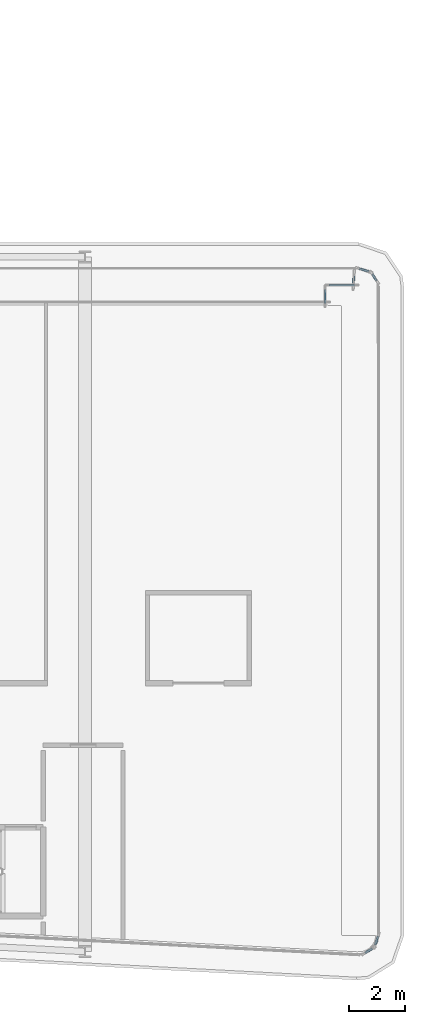
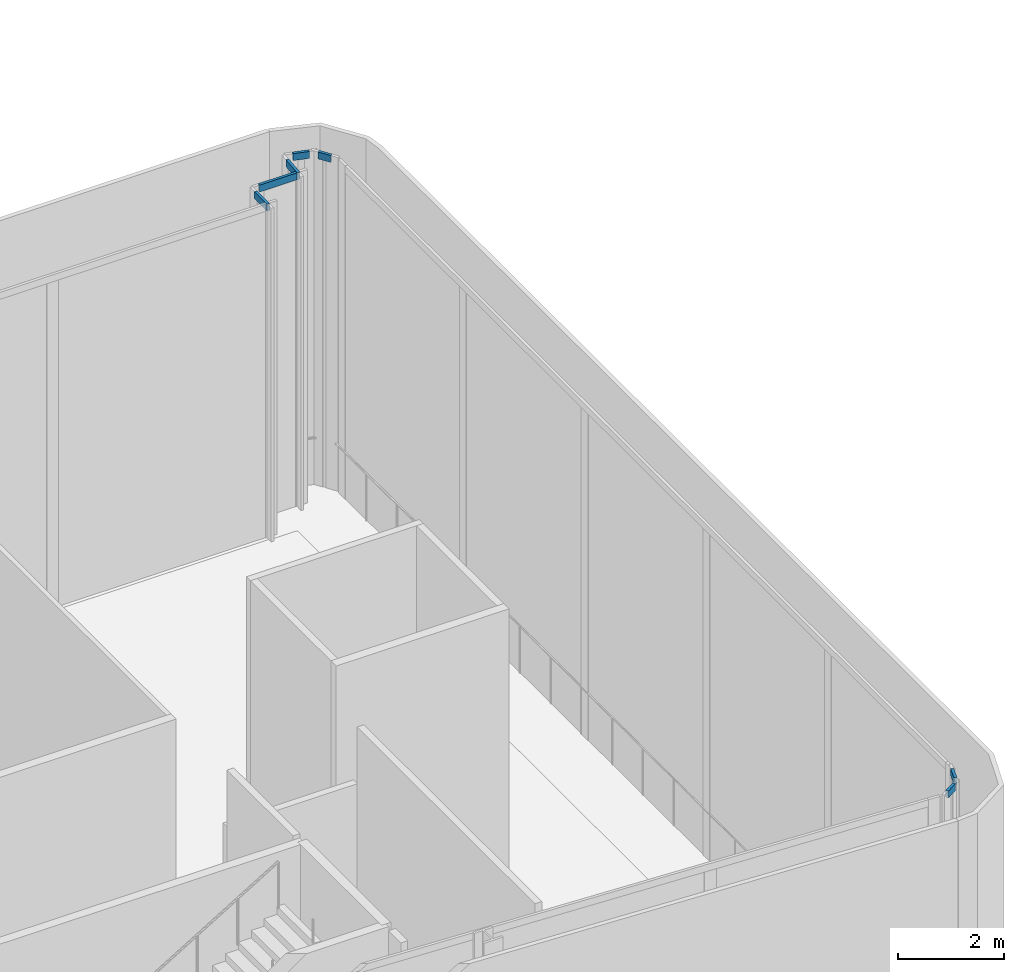
# One storey, part 20 of 37: 7 members, 7 elements without a shape of their own.
"""IFC4 building model written with IfcOpenShell, lengths in metres."""

from ifc_helpers import new_model, si_unit, direction, frame, origin, origin_2d, place, context, subcontext, project, spatial, rectangle, extrude, material, layer, layer_set, material_profile, profile_set, type_object, element, aggregate, save


model = new_model("IFC4")

# Units and contexts
model_context = context("Model", 3, precision=1e-05, world=origin(), true_north=direction((0.0, 1.0)))
body_context = subcontext(model_context, "Body", "Model", "MODEL_VIEW")
ifc_project = project(units=[si_unit("LENGTHUNIT", "METRE"), si_unit("AREAUNIT", "SQUARE_METRE"), si_unit("VOLUMEUNIT", "CUBIC_METRE"), si_unit("PLANEANGLEUNIT", "RADIAN"), si_unit("MASSUNIT", "GRAM", prefix="KILO")], contexts=[model_context])

# Site, building, storey
site_placement = place(None, origin())
site = spatial("IfcSite", under=ifc_project, at=site_placement, CompositionType="ELEMENT")
building_placement = place(site_placement, origin())
building = spatial("IfcBuilding", under=site, at=building_placement, Name="Kheshtan School and Residences Tower", CompositionType="ELEMENT")
storey_placement = place(building_placement, frame((0.0, 0.0, 144.800048828125)))
storey = spatial("IfcBuildingStorey", under=building, at=storey_placement, Name="L34", CompositionType="ELEMENT", Elevation=144.800048828125)

# Curtain wall, member
ifc_material_1 = material(Name="Clear low-e glass in thermally broken aluminium frame", Category="aluminium")
ifc_layer = layer(ifc_material_1, 0.25)
ifc_layer_set = layer_set([ifc_layer], Name="Curtain wall CW-K")
curtain_wall_type = type_object("IfcCurtainWallType", Name="Curtain wall CW-K", PredefinedType="NOTDEFINED", material=ifc_layer_set)
curtain_wall_1_placement = place(storey_placement, origin())
curtain_wall_1 = element("IfcCurtainWall", 1, at=curtain_wall_1_placement, inside=storey, type_object=curtain_wall_type, Name="Curtain wall CWK6", PredefinedType="NOTDEFINED")
ifc_material_2 = material(Name="Thermally broken aluminium, dark bronze anodised", Category="aluminium")
ifc_material_profile = material_profile(ifc_material_2, rectangle(XDim=0.06005859375, YDim=0.159912109375, at=origin_2d()), Name="CW-K transom 60x160")
ifc_profile_set = profile_set([ifc_material_profile], Name="Thermally broken aluminium, dark bronze anodised")
member_type = type_object("IfcMemberType", Name="CW-K transom 60x160", PredefinedType="USERDEFINED", material=ifc_profile_set)
member_1_placement = place(storey_placement, frame((99.300048828125, 43.9599609375, 7.570068359375), z_axis=(0.0, 1.0, 0.0), x_axis=(-1.0, 0.0, 0.0)))
member_1 = element("IfcMember", 2, at=member_1_placement, type_object=member_type, Name="CWK6 transom 1", ObjectType="TRANSOM", PredefinedType="USERDEFINED", context=body_context, shape_type="SweptSolid", body=[
    extrude(rectangle(XDim=0.06005859375, YDim=0.159912109375, at=origin_2d()), origin(), (0.0, 0.0, 1.0), 0.47998046875),
])
aggregate(curtain_wall_1, [member_1])

curtain_wall_2_placement = place(storey_placement, origin())
curtain_wall_2 = element("IfcCurtainWall", 3, at=curtain_wall_2_placement, inside=storey, type_object=curtain_wall_type, Name="Curtain wall CWK7", PredefinedType="NOTDEFINED")
member_2_placement = place(storey_placement, frame((99.4599609375, 44.60009765625, 7.570068359375), z_axis=(1.0, 0.0, 0.0), x_axis=(0.0, 1.0, 0.0)))
member_2 = element("IfcMember", 4, at=member_2_placement, type_object=member_type, Name="CWK7 transom 1", ObjectType="TRANSOM", PredefinedType="USERDEFINED", context=body_context, shape_type="SweptSolid", body=[
    extrude(rectangle(XDim=0.06005859375, YDim=0.159912109375, at=origin_2d()), origin(), (0.0, 0.0, 1.0), 0.881103515625),
])
aggregate(curtain_wall_2, [member_2])

curtain_wall_3_placement = place(storey_placement, origin())
curtain_wall_3 = element("IfcCurtainWall", 5, at=curtain_wall_3_placement, inside=storey, type_object=curtain_wall_type, Name="Curtain wall CWK8", PredefinedType="NOTDEFINED")
member_3_placement = place(storey_placement, frame((100.30517578125, 44.56640625, 7.570068359375), z_axis=(0.064936372155, 0.997889406483, 0.0), x_axis=(-0.997889406483, 0.064936372155, 0.0)))
member_3 = element("IfcMember", 6, at=member_3_placement, type_object=member_type, Name="CWK8 transom 1", ObjectType="TRANSOM", PredefinedType="USERDEFINED", context=body_context, shape_type="SweptSolid", body=[
    extrude(rectangle(XDim=0.06005859375, YDim=0.159912109375, at=origin_2d()), origin(), (0.0, 0.0, 1.0), 0.481201171875),
])
aggregate(curtain_wall_3, [member_3])

curtain_wall_4_placement = place(storey_placement, origin())
curtain_wall_4 = element("IfcCurtainWall", 7, at=curtain_wall_4_placement, inside=storey, type_object=curtain_wall_type, Name="Curtain wall CWK9", PredefinedType="NOTDEFINED")
member_4_placement = place(storey_placement, frame((100.52587890625, 45.1787109375, 7.570068359375), z_axis=(0.958859024392, -0.283882671789, 0.0), x_axis=(0.283882671789, 0.958859024392, 0.0)))
member_4 = element("IfcMember", 8, at=member_4_placement, type_object=member_type, Name="CWK9 transom 1", ObjectType="TRANSOM", PredefinedType="USERDEFINED", context=body_context, shape_type="SweptSolid", body=[
    extrude(rectangle(XDim=0.06005859375, YDim=0.159912109375, at=origin_2d()), origin(), (0.0, 0.0, 1.0), 0.3232421875),
])
aggregate(curtain_wall_4, [member_4])

curtain_wall_5_placement = place(storey_placement, origin())
curtain_wall_5 = element("IfcCurtainWall", 9, at=curtain_wall_5_placement, inside=storey, type_object=curtain_wall_type, Name="Curtain wall CWK10", PredefinedType="NOTDEFINED")
member_5_placement = place(storey_placement, frame((100.9814453125, 44.979736328125, 7.570068359375), z_axis=(0.555554602959, -0.831480055762, 0.0), x_axis=(0.831480055762, 0.555554602959, 0.0)))
member_5 = element("IfcMember", 10, at=member_5_placement, type_object=member_type, Name="CWK10 transom 1", ObjectType="TRANSOM", PredefinedType="USERDEFINED", context=body_context, shape_type="SweptSolid", body=[
    extrude(rectangle(XDim=0.06005859375, YDim=0.159912109375, at=origin_2d()), origin(), (0.0, 0.0, 1.0), 0.263671875),
])
aggregate(curtain_wall_5, [member_5])

curtain_wall_6_placement = place(storey_placement, origin())
curtain_wall_6 = element("IfcCurtainWall", 11, at=curtain_wall_6_placement, inside=storey, type_object=curtain_wall_type, Name="Curtain wall CWK12", PredefinedType="NOTDEFINED")
member_6_placement = place(storey_placement, frame((101.176513671875, 21.52392578125, 7.570068359375), z_axis=(-0.310460806599, -0.95058618103, 0.0), x_axis=(0.95058618103, -0.310460806599, 0.0)))
member_6 = element("IfcMember", 12, at=member_6_placement, type_object=member_type, Name="CWK12 transom 1", ObjectType="TRANSOM", PredefinedType="USERDEFINED", context=body_context, shape_type="SweptSolid", body=[
    extrude(rectangle(XDim=0.06005859375, YDim=0.159912109375, at=origin_2d()), origin(), (0.0, 0.0, 1.0), 0.30517578125),
])
aggregate(curtain_wall_6, [member_6])

curtain_wall_7_placement = place(storey_placement, origin())
curtain_wall_7 = element("IfcCurtainWall", 13, at=curtain_wall_7_placement, inside=storey, type_object=curtain_wall_type, Name="Curtain wall CWK13", PredefinedType="NOTDEFINED")
member_7_placement = place(storey_placement, frame((100.9697265625, 21.09130859375, 7.570068359375), z_axis=(-0.849707485057, -0.527254388164, 0.0), x_axis=(0.527254388164, -0.849707485057, 0.0)))
member_7 = element("IfcMember", 14, at=member_7_placement, type_object=member_type, Name="CWK13 transom 1", ObjectType="TRANSOM", PredefinedType="USERDEFINED", context=body_context, shape_type="SweptSolid", body=[
    extrude(rectangle(XDim=0.06005859375, YDim=0.159912109375, at=origin_2d()), origin(), (0.0, 0.0, 1.0), 0.280029296875),
])
aggregate(curtain_wall_7, [member_7])

save(model, "model.ifc")
